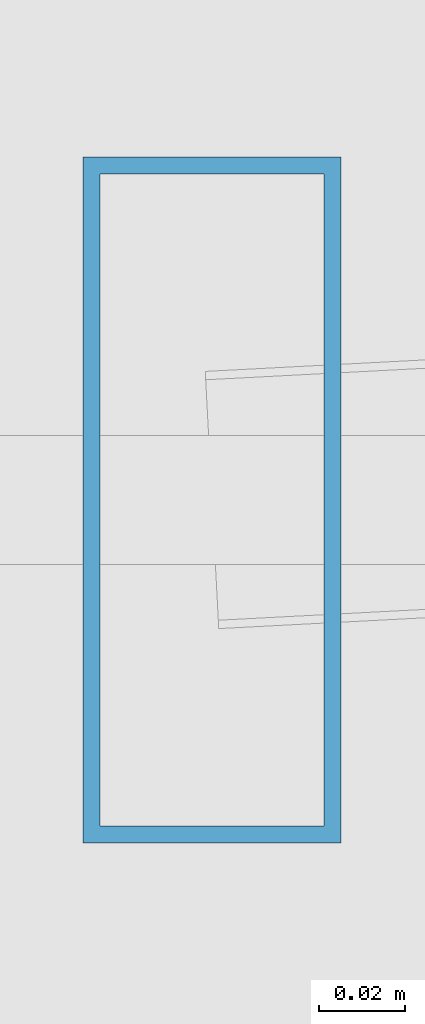
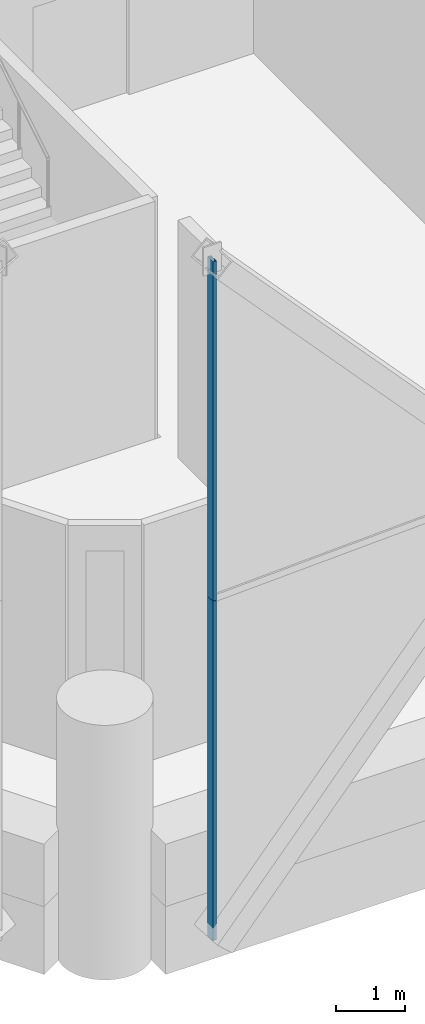
# One storey, part 3 of 46: 2 members, 1 element without a shape of its own.
"""IFC4 building model written with IfcOpenShell, lengths in metres."""

from ifc_helpers import new_model, si_unit, direction, frame, origin, origin_2d, place, context, subcontext, project, spatial, hollow_rectangle, extrude, material, material_profile, profile_set, type_object, element, aggregate, save


model = new_model("IFC4")

# Units and contexts
model_context = context("Model", 3, precision=1e-05, world=origin(), true_north=direction((0.0, 1.0)))
body_context = subcontext(model_context, "Body", "Model", "MODEL_VIEW")
ifc_project = project(units=[si_unit("LENGTHUNIT", "METRE"), si_unit("AREAUNIT", "SQUARE_METRE"), si_unit("VOLUMEUNIT", "CUBIC_METRE"), si_unit("PLANEANGLEUNIT", "RADIAN"), si_unit("MASSUNIT", "GRAM", prefix="KILO")], contexts=[model_context])

# Site, building, storey
site_placement = place(None, origin())
site = spatial("IfcSite", under=ifc_project, at=site_placement, CompositionType="ELEMENT")
building_placement = place(site_placement, origin())
building = spatial("IfcBuilding", under=site, at=building_placement, Name="Ostrander Bayou Hotel Tower", CompositionType="ELEMENT")
storey_placement = place(building_placement, frame((0.0, 0.0, 23.5)))
storey = spatial("IfcBuildingStorey", under=building, at=storey_placement, Name="L05", CompositionType="ELEMENT", Elevation=23.5)

# Curtain wall, members
ifc_material_1 = material(Name="Aluminium and clear glass", Category="aluminium")
curtain_wall_type = type_object("IfcCurtainWallType", Name="CW-LAT lattice glazing", PredefinedType="NOTDEFINED", material=ifc_material_1)
curtain_wall_placement = place(storey_placement, origin())
curtain_wall = element("IfcCurtainWall", 1, at=curtain_wall_placement, inside=storey, type_object=curtain_wall_type, Name="CW-LAT L05 S 1", PredefinedType="NOTDEFINED")
ifc_material_2 = material(Name="Aluminium", Category="aluminium")
ifc_material_profile = material_profile(ifc_material_2, hollow_rectangle(XDim=0.06005859375, YDim=0.159912109375, WallThickness=0.00390625, at=origin_2d()))
ifc_profile_set = profile_set([ifc_material_profile], Name="Aluminium")
member_type = type_object("IfcMemberType", Name="CW-LA mullion 60 x 160 mm", PredefinedType="MULLION", material=ifc_profile_set)
member_1_placement = place(storey_placement, frame((-10.95068359375, -22.070068359375, -0.60009765625), z_axis=(0.0, 0.0, 1.0), x_axis=(1.0, 0.0, 0.0)))
member_1 = element("IfcMember", 2, at=member_1_placement, type_object=member_type, Name="CW-LAT mullion 1", PredefinedType="MULLION", context=body_context, shape_type="SweptSolid", body=[
    extrude(hollow_rectangle(XDim=0.06005859375, YDim=0.159912109375, WallThickness=0.00390625, at=origin_2d()), origin(), (0.0, 0.0, 1.0), 6.0),
])
member_2_placement = place(storey_placement, frame((-10.95068359375, -22.070068359375, 5.39990234375), z_axis=(0.0, 0.0, 1.0), x_axis=(1.0, 0.0, 0.0)))
member_2 = element("IfcMember", 3, at=member_2_placement, type_object=member_type, Name="CW-LAT mullion 2", PredefinedType="MULLION", context=body_context, shape_type="SweptSolid", body=[
    extrude(hollow_rectangle(XDim=0.06005859375, YDim=0.159912109375, WallThickness=0.00390625, at=origin_2d()), origin(), (0.0, 0.0, 1.0), 6.0),
])
aggregate(curtain_wall, [member_1, member_2])

save(model, "model.ifc")
